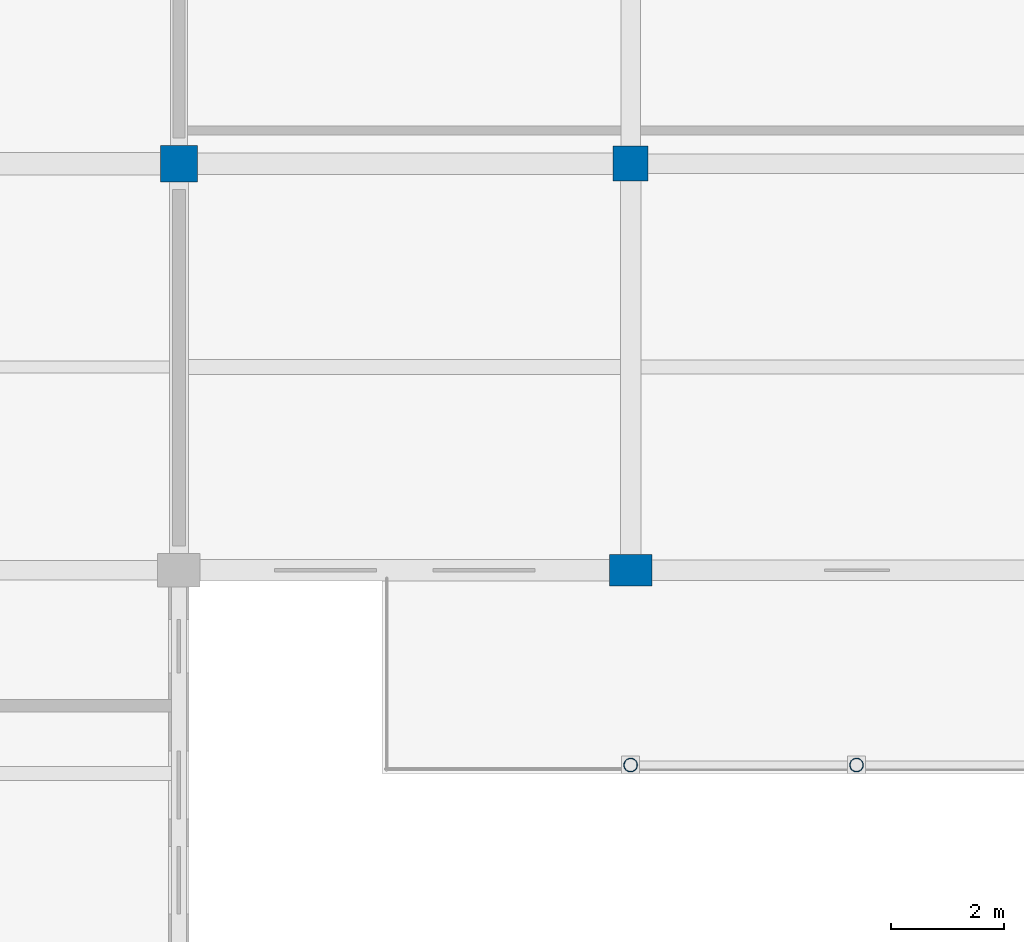
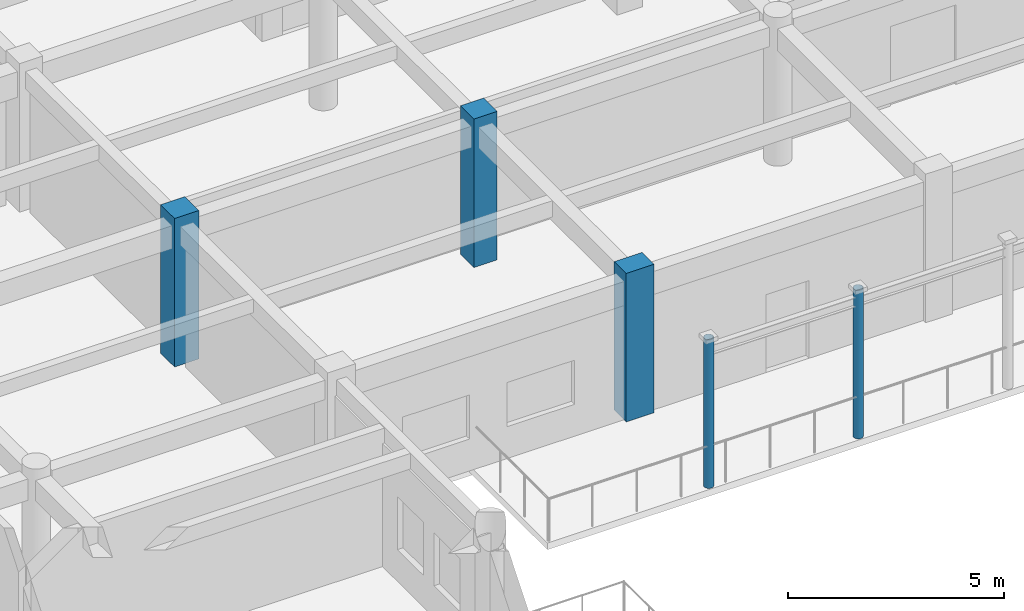
# One storey, part 14 of 195: 5 columns.
"""IFC4 building model written with IfcOpenShell, lengths in metres."""

from ifc_helpers import new_model, si_unit, direction, frame, origin, origin_2d, place, context, subcontext, project, spatial, rectangle, hollow_circle, extrude, material, material_profile, profile_set, type_object, element, save


model = new_model("IFC4")

# Units and contexts
model_context = context("Model", 3, precision=1e-05, world=origin(), true_north=direction((0.0, 1.0)))
body_context = subcontext(model_context, "Body", "Model", "MODEL_VIEW")
ifc_project = project(units=[si_unit("LENGTHUNIT", "METRE"), si_unit("AREAUNIT", "SQUARE_METRE"), si_unit("VOLUMEUNIT", "CUBIC_METRE"), si_unit("PLANEANGLEUNIT", "RADIAN"), si_unit("MASSUNIT", "GRAM", prefix="KILO")], contexts=[model_context])

# Site, building, storey
site_placement = place(None, origin())
site = spatial("IfcSite", under=ifc_project, at=site_placement, CompositionType="ELEMENT")
building_placement = place(site_placement, origin())
building = spatial("IfcBuilding", under=site, at=building_placement, Name="Kharva Crest Polytechnic", CompositionType="ELEMENT")
storey_placement = place(building_placement, frame((0.0, 0.0, 9.0)))
storey = spatial("IfcBuildingStorey", under=building, at=storey_placement, Name="L02", CompositionType="ELEMENT", Elevation=9.0)

# Columns
ifc_material_1 = material(Name="Concrete C40/50", Category="concrete")
ifc_material_profile_1 = material_profile(ifc_material_1, rectangle(XDim=0.75, YDim=0.550048828125, at=origin_2d()), Name="RECT 750 X 550")
ifc_profile_set_1 = profile_set([ifc_material_profile_1], Name="Concrete C40/50")
column_type_1 = type_object("IfcColumnType", Name="COL-EXT-750X550", PredefinedType="COLUMN", material=ifc_profile_set_1)
column_1_placement = place(storey_placement, frame((56.0, 100.39990234375, 0.0), z_axis=(0.0, 0.0, 1.0), x_axis=(1.0, 0.0, 0.0)))
element("IfcColumn", 1, at=column_1_placement, inside=storey, type_object=column_type_1, Name="L02 Column 8/P", PredefinedType="COLUMN", context=body_context, shape_type="SweptSolid", body=[
    extrude(rectangle(XDim=0.75, YDim=0.550048828125, at=origin_2d()), origin(), (0.0, 0.0, 1.0), 4.199951171875),
])
ifc_material_profile_2 = material_profile(ifc_material_1, rectangle(XDim=0.6201171875, YDim=0.6201171875, at=origin_2d()), Name="RECT 620 X 620")
ifc_profile_set_2 = profile_set([ifc_material_profile_2], Name="Concrete C40/50")
column_type_2 = type_object("IfcColumnType", Name="COL-INT-620X620", PredefinedType="COLUMN", material=ifc_profile_set_2)
column_2_placement = place(storey_placement, frame((56.0, 107.60009765625, 0.0), z_axis=(0.0, 0.0, 1.0), x_axis=(1.0, 0.0, 0.0)))
element("IfcColumn", 2, at=column_2_placement, inside=storey, type_object=column_type_2, Name="L02 Column 8/Q", PredefinedType="COLUMN", context=body_context, shape_type="SweptSolid", body=[
    extrude(rectangle(XDim=0.6201171875, YDim=0.6201171875, at=origin_2d()), origin(), (0.0, 0.0, 1.0), 4.199951171875),
])
ifc_material_profile_3 = material_profile(ifc_material_1, rectangle(XDim=0.64990234375, YDim=0.64990234375, at=origin_2d()), Name="RECT 650 X 650")
ifc_profile_set_3 = profile_set([ifc_material_profile_3], Name="Concrete C40/50")
column_type_3 = type_object("IfcColumnType", Name="COL-INT-650X650", PredefinedType="COLUMN", material=ifc_profile_set_3)
column_3_placement = place(storey_placement, frame((48.0, 107.60009765625, 0.0), z_axis=(0.0, 0.0, 1.0), x_axis=(1.0, 0.0, 0.0)))
element("IfcColumn", 3, at=column_3_placement, inside=storey, type_object=column_type_3, Name="L02 Column 7/Q", PredefinedType="COLUMN", context=body_context, shape_type="SweptSolid", body=[
    extrude(rectangle(XDim=0.64990234375, YDim=0.64990234375, at=origin_2d()), origin(), (0.0, 0.0, 1.0), 4.199951171875),
])
ifc_material_2 = material(Name="Steel S355", Category="steel")
ifc_material_profile_4 = material_profile(ifc_material_2, hollow_circle(Radius=0.122314453125, WallThickness=0.010009765625, at=origin_2d()), Name="CHS 244.5X10.0")
ifc_profile_set_4 = profile_set([ifc_material_profile_4], Name="Steel S355")
column_type_4 = type_object("IfcColumnType", Name="COL-STL-CHS244", PredefinedType="COLUMN", material=ifc_profile_set_4)
for number, where, z_axis, x_axis, name in (
    (4, (56.0, 96.949951171875, 0.0), (0.0, 0.0, 1.0), (1.0, 0.0, 0.0), "L02 Colonnade Column VN01"),
    (5, (60.0, 96.949951171875, 0.0), (0.0, 0.0, 1.0), (1.0, 0.0, 0.0), "L02 Colonnade Mid Column VNM01"),
):
    element("IfcColumn", number, at=place(storey_placement, frame(where, z_axis=z_axis, x_axis=x_axis)), inside=storey, type_object=column_type_4, Name=name, PredefinedType="COLUMN", context=body_context, shape_type="SweptSolid", body=[
        extrude(hollow_circle(Radius=0.122314453125, WallThickness=0.010009765625, at=origin_2d()), origin(), (0.0, 0.0, 1.0), 4.199951171875),
    ])

save(model, "model.ifc")
